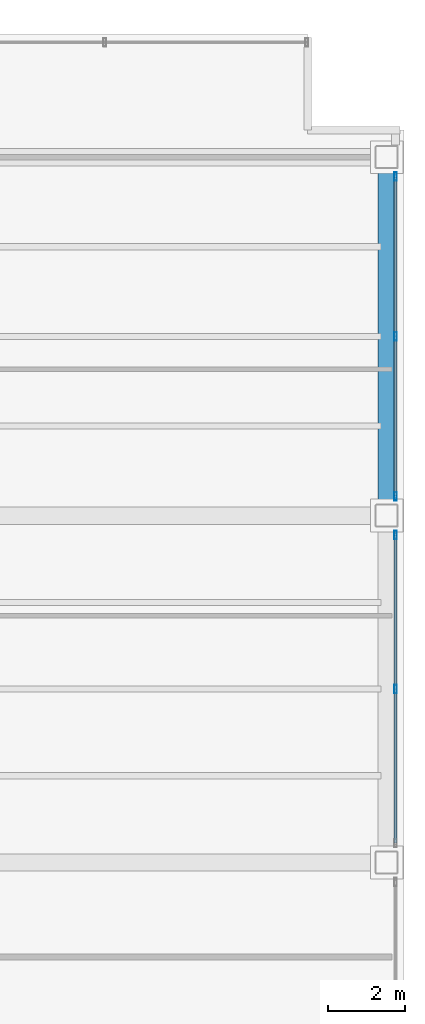
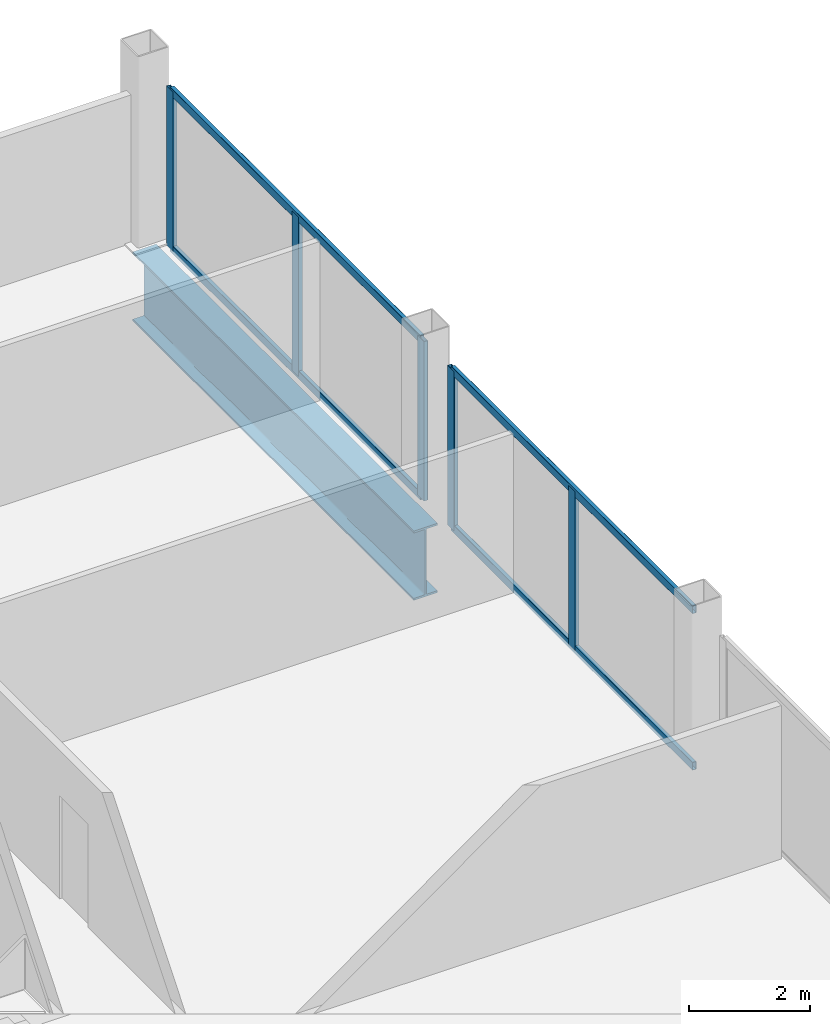
# One storey, part 13 of 21: 9 members, 1 beam, 2 elements without a shape of their own.
"""IFC4 building model written with IfcOpenShell, lengths in metres."""

from ifc_helpers import new_model, si_unit, direction, frame, origin, origin_2d, place, context, subcontext, project, spatial, hollow_rectangle, i_section, extrude, material, material_profile, profile_set, type_object, element, aggregate, save


model = new_model("IFC4")

# Units and contexts
model_context = context("Model", 3, precision=1e-05, world=origin(), true_north=direction((0.0, 1.0)))
body_context = subcontext(model_context, "Body", "Model", "MODEL_VIEW")
ifc_project = project(units=[si_unit("LENGTHUNIT", "METRE"), si_unit("AREAUNIT", "SQUARE_METRE"), si_unit("VOLUMEUNIT", "CUBIC_METRE"), si_unit("PLANEANGLEUNIT", "RADIAN"), si_unit("MASSUNIT", "GRAM", prefix="KILO")], contexts=[model_context])

# Site, building, storey
site_placement = place(None, origin())
site = spatial("IfcSite", under=ifc_project, at=site_placement, CompositionType="ELEMENT")
building_placement = place(site_placement, origin())
building = spatial("IfcBuilding", under=site, at=building_placement, Name="Noeulbin Bourse Tower", CompositionType="ELEMENT")
storey_placement = place(building_placement, frame((0.0, 0.0, 81.10009765625)))
storey = spatial("IfcBuildingStorey", under=building, at=storey_placement, Name="L20", CompositionType="ELEMENT", Elevation=81.10009765625)

# Beam
ifc_material_1 = material(Name="Steel S460", Category="steel")
ifc_material_profile_1 = material_profile(ifc_material_1, i_section(OverallWidth=0.449951171875, OverallDepth=1.39990234375, WebThickness=0.02392578125, FlangeThickness=0.0400390625, FilletRadius=0.02392578125, at=origin_2d()), Name="PG-1400x450x24x40", Category="LoadBearing")
ifc_profile_set_1 = profile_set([ifc_material_profile_1], Name="Steel S460")
beam_type = type_object("IfcBeamType", Name="BM-TRF-1400", PredefinedType="USERDEFINED", material=ifc_profile_set_1)
beam_placement = place(storey_placement, frame((57.050048828125, 29.0, -0.940185546875), z_axis=(0.0, 1.0, 0.0), x_axis=(-1.0, 0.0, 0.0)))
element("IfcBeam", 1, at=beam_placement, inside=storey, type_object=beam_type, Name="East Spandrel L20-2", ObjectType="GIRDER", PredefinedType="USERDEFINED", context=body_context, shape_type="SweptSolid", body=[
    extrude(i_section(OverallWidth=0.449951171875, OverallDepth=1.39990234375, WebThickness=0.02392578125, FlangeThickness=0.0400390625, FilletRadius=0.02392578125, at=origin_2d()), origin(), (0.0, 0.0, 1.0), 9.300048828125),
])

# Curtain wall, members
ifc_material_2 = material(Name="Dark Solar-Control Double Glazing", Category="glass")
curtain_wall_type = type_object("IfcCurtainWallType", Name="CW-SYS-2", PredefinedType="NOTDEFINED", material=ifc_material_2)
curtain_wall_1_placement = place(storey_placement, origin())
curtain_wall_1 = element("IfcCurtainWall", 2, at=curtain_wall_1_placement, inside=storey, type_object=curtain_wall_type, Name="Unitised Curtain Wall CW-L20-E-S2", PredefinedType="NOTDEFINED")
ifc_material_3 = material(Name="Anodised Aluminium 6063-T6", Category="aluminium")
ifc_material_profile_2 = material_profile(ifc_material_3, hollow_rectangle(XDim=0.074951171875, YDim=0.219970703125, WallThickness=0.0048828125, InnerFilletRadius=0.00244140625, OuterFilletRadius=0.0048828125, at=origin_2d()), Name="ALU-MULL-75x220x5", Category="LoadBearing")
ifc_profile_set_2 = profile_set([ifc_material_profile_2], Name="Anodised Aluminium 6063-T6")
member_type_1 = type_object("IfcMemberType", Name="CW-SYS-2-MUL", PredefinedType="MULLION", material=ifc_profile_set_2)
member_1_placement = place(storey_placement, frame((57.280029296875, 24.5, -0.02001953125), z_axis=(0.0, 0.0, 1.0), x_axis=(1.0, 0.0, 0.0)))
member_1 = element("IfcMember", 3, at=member_1_placement, type_object=member_type_1, Name="Curtain Wall Mullion CW-L20-E-S2-M01", PredefinedType="MULLION", context=body_context, shape_type="SweptSolid", body=[
    extrude(hollow_rectangle(XDim=0.074951171875, YDim=0.219970703125, WallThickness=0.0048828125, InnerFilletRadius=0.00244140625, OuterFilletRadius=0.0048828125, at=origin_2d()), origin(), (0.0, 0.0, 1.0), 3.219970703125),
])
member_2_placement = place(storey_placement, frame((57.280029296875, 28.5, -0.02001953125), z_axis=(0.0, 0.0, 1.0), x_axis=(1.0, 0.0, 0.0)))
member_2 = element("IfcMember", 4, at=member_2_placement, type_object=member_type_1, Name="Curtain Wall Mullion CW-L20-E-S2-M02", PredefinedType="MULLION", context=body_context, shape_type="SweptSolid", body=[
    extrude(hollow_rectangle(XDim=0.074951171875, YDim=0.219970703125, WallThickness=0.0048828125, InnerFilletRadius=0.00244140625, OuterFilletRadius=0.0048828125, at=origin_2d()), origin(), (0.0, 0.0, 1.0), 3.219970703125),
])

curtain_wall_2_placement = place(storey_placement, origin())
curtain_wall_2 = element("IfcCurtainWall", 5, at=curtain_wall_2_placement, inside=storey, type_object=curtain_wall_type, Name="Unitised Curtain Wall CW-L20-E-S3", PredefinedType="NOTDEFINED")
member_3_placement = place(storey_placement, frame((57.280029296875, 29.5, -0.02001953125), z_axis=(0.0, 0.0, 1.0), x_axis=(1.0, 0.0, 0.0)))
member_3 = element("IfcMember", 6, at=member_3_placement, type_object=member_type_1, Name="Curtain Wall Mullion CW-L20-E-S3-M00", PredefinedType="MULLION", context=body_context, shape_type="SweptSolid", body=[
    extrude(hollow_rectangle(XDim=0.074951171875, YDim=0.219970703125, WallThickness=0.0048828125, InnerFilletRadius=0.00244140625, OuterFilletRadius=0.0048828125, at=origin_2d()), origin(), (0.0, 0.0, 1.0), 3.219970703125),
])
member_4_placement = place(storey_placement, frame((57.280029296875, 33.64990234375, -0.02001953125), z_axis=(0.0, 0.0, 1.0), x_axis=(1.0, 0.0, 0.0)))
member_4 = element("IfcMember", 7, at=member_4_placement, type_object=member_type_1, Name="Curtain Wall Mullion CW-L20-E-S3-M01", PredefinedType="MULLION", context=body_context, shape_type="SweptSolid", body=[
    extrude(hollow_rectangle(XDim=0.074951171875, YDim=0.219970703125, WallThickness=0.0048828125, InnerFilletRadius=0.00244140625, OuterFilletRadius=0.0048828125, at=origin_2d()), origin(), (0.0, 0.0, 1.0), 3.219970703125),
])
member_5_placement = place(storey_placement, frame((57.280029296875, 37.800048828125, -0.02001953125), z_axis=(0.0, 0.0, 1.0), x_axis=(1.0, 0.0, 0.0)))
member_5 = element("IfcMember", 8, at=member_5_placement, type_object=member_type_1, Name="Curtain Wall Mullion CW-L20-E-S3-M02", PredefinedType="MULLION", context=body_context, shape_type="SweptSolid", body=[
    extrude(hollow_rectangle(XDim=0.074951171875, YDim=0.219970703125, WallThickness=0.0048828125, InnerFilletRadius=0.00244140625, OuterFilletRadius=0.0048828125, at=origin_2d()), origin(), (0.0, 0.0, 1.0), 3.219970703125),
])

# Member
ifc_material_profile_3 = material_profile(ifc_material_3, hollow_rectangle(XDim=0.074951171875, YDim=0.159912109375, WallThickness=0.0048828125, InnerFilletRadius=0.00244140625, OuterFilletRadius=0.0048828125, at=origin_2d()), Name="ALU-TRAN-75x160x5", Category="LoadBearing")
ifc_profile_set_3 = profile_set([ifc_material_profile_3], Name="Anodised Aluminium 6063-T6")
member_type_2 = type_object("IfcMemberType", Name="CW-SYS-2-TRN", PredefinedType="USERDEFINED", material=ifc_profile_set_3)
member_6_placement = place(storey_placement, frame((57.280029296875, 20.510009765625, 0.010009765625), z_axis=(0.0, 1.0, 0.0), x_axis=(-1.0, 0.0, 0.0)))
member_6 = element("IfcMember", 9, at=member_6_placement, type_object=member_type_2, Name="Curtain Wall Transom CW-L20-E-S2-T00", ObjectType="TRANSOM", PredefinedType="USERDEFINED", context=body_context, shape_type="SweptSolid", body=[
    extrude(hollow_rectangle(XDim=0.074951171875, YDim=0.159912109375, WallThickness=0.0048828125, InnerFilletRadius=0.00244140625, OuterFilletRadius=0.0048828125, at=origin_2d()), origin(), (0.0, 0.0, 1.0), 7.97998046875),
])

member_7_placement = place(storey_placement, frame((57.280029296875, 20.510009765625, 3.169921875), z_axis=(0.0, 1.0, 0.0), x_axis=(-1.0, 0.0, 0.0)))
member_7 = element("IfcMember", 10, at=member_7_placement, type_object=member_type_2, Name="Curtain Wall Transom CW-L20-E-S2-T01", ObjectType="TRANSOM", PredefinedType="USERDEFINED", context=body_context, shape_type="SweptSolid", body=[
    extrude(hollow_rectangle(XDim=0.074951171875, YDim=0.159912109375, WallThickness=0.0048828125, InnerFilletRadius=0.00244140625, OuterFilletRadius=0.0048828125, at=origin_2d()), origin(), (0.0, 0.0, 1.0), 7.97998046875),
])

aggregate(curtain_wall_1, [member_1, member_2, member_6, member_7])

member_8_placement = place(storey_placement, frame((57.280029296875, 29.510009765625, 0.010009765625), z_axis=(0.0, 1.0, 0.0), x_axis=(-1.0, 0.0, 0.0)))
member_8 = element("IfcMember", 11, at=member_8_placement, type_object=member_type_2, Name="Curtain Wall Transom CW-L20-E-S3-T00", ObjectType="TRANSOM", PredefinedType="USERDEFINED", context=body_context, shape_type="SweptSolid", body=[
    extrude(hollow_rectangle(XDim=0.074951171875, YDim=0.159912109375, WallThickness=0.0048828125, InnerFilletRadius=0.00244140625, OuterFilletRadius=0.0048828125, at=origin_2d()), origin(), (0.0, 0.0, 1.0), 8.280029296875),
])

member_9_placement = place(storey_placement, frame((57.280029296875, 29.510009765625, 3.169921875), z_axis=(0.0, 1.0, 0.0), x_axis=(-1.0, 0.0, 0.0)))
member_9 = element("IfcMember", 12, at=member_9_placement, type_object=member_type_2, Name="Curtain Wall Transom CW-L20-E-S3-T01", ObjectType="TRANSOM", PredefinedType="USERDEFINED", context=body_context, shape_type="SweptSolid", body=[
    extrude(hollow_rectangle(XDim=0.074951171875, YDim=0.159912109375, WallThickness=0.0048828125, InnerFilletRadius=0.00244140625, OuterFilletRadius=0.0048828125, at=origin_2d()), origin(), (0.0, 0.0, 1.0), 8.280029296875),
])

aggregate(curtain_wall_2, [member_3, member_4, member_5, member_8, member_9])

save(model, "model.ifc")
